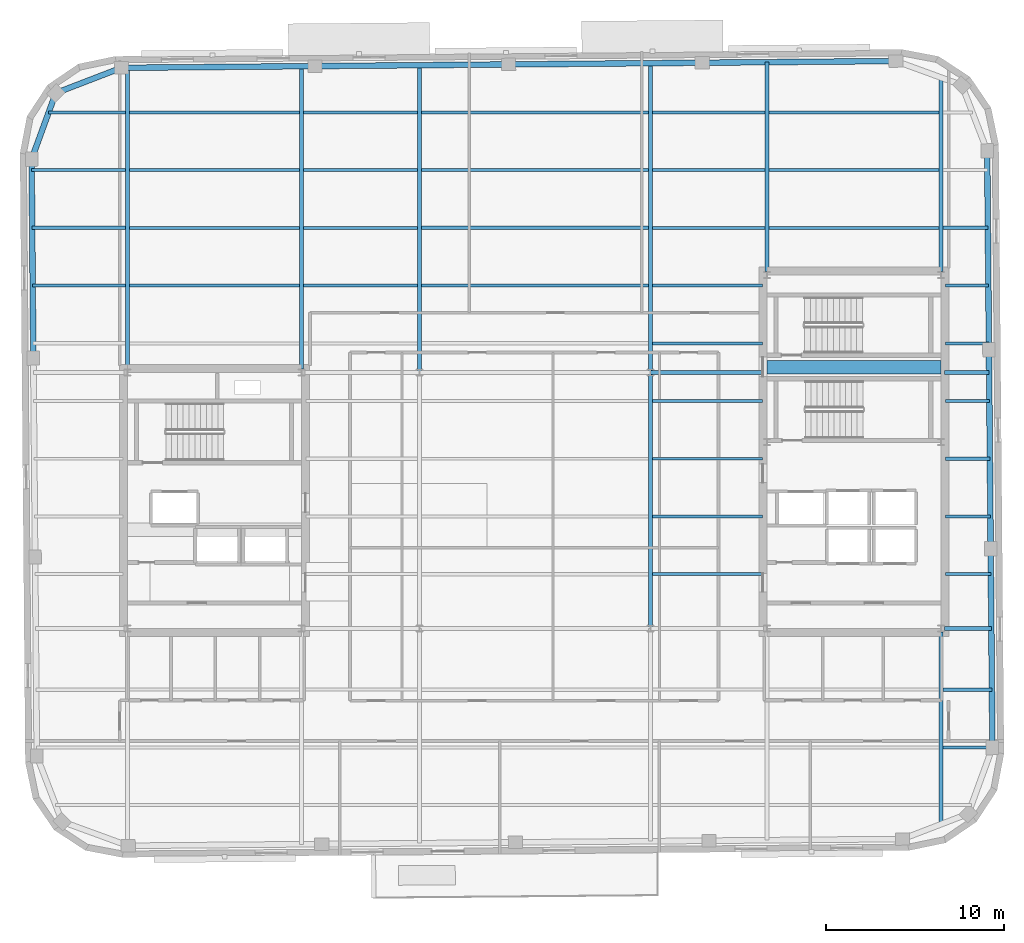
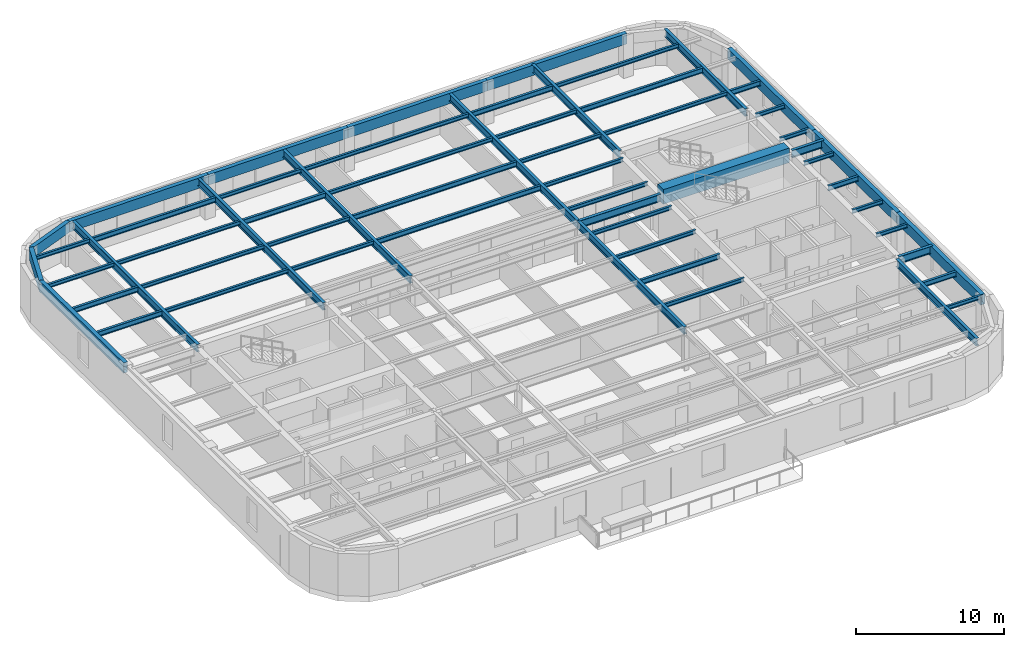
# One storey, part 5 of 14: 59 beams.
"""IFC4 building model written with IfcOpenShell, lengths in metres."""

from ifc_helpers import new_model, si_unit, direction, frame, origin, origin_2d, place, context, subcontext, project, spatial, rectangle, hollow_rectangle, i_section, extrude, material, material_profile, profile_set, type_object, element, save


model = new_model("IFC4")

# Units and contexts
model_context = context("Model", 3, precision=1e-05, world=origin(), true_north=direction((0.0, 1.0)))
body_context = subcontext(model_context, "Body", "Model", "MODEL_VIEW")
ifc_project = project(units=[si_unit("LENGTHUNIT", "METRE"), si_unit("AREAUNIT", "SQUARE_METRE"), si_unit("VOLUMEUNIT", "CUBIC_METRE"), si_unit("PLANEANGLEUNIT", "RADIAN"), si_unit("MASSUNIT", "GRAM", prefix="KILO")], contexts=[model_context])

# Site, building, storey
site_placement = place(None, origin())
site = spatial("IfcSite", under=ifc_project, at=site_placement, CompositionType="ELEMENT")
building_placement = place(site_placement, origin())
building = spatial("IfcBuilding", under=site, at=building_placement, Name="Kolvaren Arena Tower", CompositionType="ELEMENT")
storey_placement = place(building_placement, frame((0.0, 0.0, 274.89990234375)))
storey = spatial("IfcBuildingStorey", under=building, at=storey_placement, Name="L67", CompositionType="ELEMENT", Elevation=274.89990234375)

# Beams
ifc_material_1 = material(Name="Steel CSA G40.21 350W", Category="steel")
ifc_material_profile_1 = material_profile(ifc_material_1, i_section(OverallWidth=0.180908203125, OverallDepth=0.4169921875, WebThickness=0.010986328125, FlangeThickness=0.018310546875, FilletRadius=0.011962890625, at=origin_2d()), Name="W410x85")
ifc_profile_set_1 = profile_set([ifc_material_profile_1], Name="Steel CSA G40.21 350W")
beam_type_1 = type_object("IfcBeamType", Name="BEAM-F3", PredefinedType="BEAM", material=ifc_profile_set_1)
beam_1_placement = place(storey_placement, frame((60.464111328125, 16.0, 3.271484375), z_axis=(1.0, 0.0, 0.0), x_axis=(0.0, 1.0, 0.0)))
element("IfcBeam", 1, at=beam_1_placement, inside=storey, type_object=beam_type_1, Name="Composite Floor Beam (L67)", PredefinedType="BEAM", context=body_context, shape_type="SweptSolid", body=[
    extrude(i_section(OverallWidth=0.180908203125, OverallDepth=0.4169921875, WebThickness=0.010986328125, FlangeThickness=0.018310546875, FilletRadius=0.011962890625, at=origin_2d()), origin(), (0.0, 0.0, 1.0), 2.7529296875),
])
beam_2_placement = place(storey_placement, frame((44.114013671875, 25.75, 3.271484375), z_axis=(1.0, 0.0, 0.0), x_axis=(0.0, 1.0, 0.0)))
element("IfcBeam", 2, at=beam_2_placement, inside=storey, type_object=beam_type_1, Name="Composite Floor Beam (L67)", PredefinedType="BEAM", context=body_context, shape_type="SweptSolid", body=[
    extrude(i_section(OverallWidth=0.180908203125, OverallDepth=0.4169921875, WebThickness=0.010986328125, FlangeThickness=0.018310546875, FilletRadius=0.011962890625, at=origin_2d()), origin(), (0.0, 0.0, 1.0), 6.19091796875),
])
beam_3_placement = place(storey_placement, frame((60.594970703125, 29.0, 3.271484375), z_axis=(1.0, 0.0, 0.0), x_axis=(0.0, 1.0, 0.0)))
element("IfcBeam", 3, at=beam_3_placement, inside=storey, type_object=beam_type_1, Name="Composite Floor Beam (L67)", PredefinedType="BEAM", context=body_context, shape_type="SweptSolid", body=[
    extrude(i_section(OverallWidth=0.180908203125, OverallDepth=0.4169921875, WebThickness=0.010986328125, FlangeThickness=0.018310546875, FilletRadius=0.011962890625, at=origin_2d()), origin(), (0.0, 0.0, 1.0), 2.508544921875),
])
beam_4_placement = place(storey_placement, frame((9.216552734375, 38.75, 3.271484375), z_axis=(1.0, 0.0, 0.0), x_axis=(0.0, 1.0, 0.0)))
element("IfcBeam", 4, at=beam_4_placement, inside=storey, type_object=beam_type_1, Name="Composite Floor Beam (L67)", PredefinedType="BEAM", context=body_context, shape_type="SweptSolid", body=[
    extrude(i_section(OverallWidth=0.180908203125, OverallDepth=0.4169921875, WebThickness=0.010986328125, FlangeThickness=0.018310546875, FilletRadius=0.011962890625, at=origin_2d()), origin(), (0.0, 0.0, 1.0), 5.219482421875),
])
beam_5_placement = place(storey_placement, frame((31.114013671875, 38.75, 3.271484375), z_axis=(1.0, 0.0, 0.0), x_axis=(0.0, 1.0, 0.0)))
element("IfcBeam", 5, at=beam_5_placement, inside=storey, type_object=beam_type_1, Name="Composite Floor Beam (L67)", PredefinedType="BEAM", context=body_context, shape_type="SweptSolid", body=[
    extrude(i_section(OverallWidth=0.180908203125, OverallDepth=0.4169921875, WebThickness=0.010986328125, FlangeThickness=0.018310546875, FilletRadius=0.011962890625, at=origin_2d()), origin(), (0.0, 0.0, 1.0), 12.77197265625),
])
beam_6_placement = place(storey_placement, frame((9.18798828125, 42.0, 3.271484375), z_axis=(1.0, 0.0, 0.0), x_axis=(0.0, 1.0, 0.0)))
element("IfcBeam", 6, at=beam_6_placement, inside=storey, type_object=beam_type_1, Name="Composite Floor Beam (L67)", PredefinedType="BEAM", context=body_context, shape_type="SweptSolid", body=[
    extrude(i_section(OverallWidth=0.180908203125, OverallDepth=0.4169921875, WebThickness=0.010986328125, FlangeThickness=0.018310546875, FilletRadius=0.011962890625, at=origin_2d()), origin(), (0.0, 0.0, 1.0), 5.248046875),
])
beam_7_placement = place(storey_placement, frame((31.114013671875, 42.0, 3.271484375), z_axis=(1.0, 0.0, 0.0), x_axis=(0.0, 1.0, 0.0)))
element("IfcBeam", 7, at=beam_7_placement, inside=storey, type_object=beam_type_1, Name="Composite Floor Beam (L67)", PredefinedType="BEAM", context=body_context, shape_type="SweptSolid", body=[
    extrude(i_section(OverallWidth=0.180908203125, OverallDepth=0.4169921875, WebThickness=0.010986328125, FlangeThickness=0.018310546875, FilletRadius=0.011962890625, at=origin_2d()), origin(), (0.0, 0.0, 1.0), 12.77197265625),
])
beam_8_placement = place(storey_placement, frame((60.464111328125, 42.0, 3.271484375), z_axis=(1.0, 0.0, 0.0), x_axis=(0.0, 1.0, 0.0)))
element("IfcBeam", 8, at=beam_8_placement, inside=storey, type_object=beam_type_1, Name="Composite Floor Beam (L67)", PredefinedType="BEAM", context=body_context, shape_type="SweptSolid", body=[
    extrude(i_section(OverallWidth=0.180908203125, OverallDepth=0.4169921875, WebThickness=0.010986328125, FlangeThickness=0.018310546875, FilletRadius=0.011962890625, at=origin_2d()), origin(), (0.0, 0.0, 1.0), 2.526123046875),
])
beam_9_placement = place(storey_placement, frame((24.464111328125, 45.25, 3.271484375), z_axis=(1.0, 0.0, 0.0), x_axis=(0.0, 1.0, 0.0)))
element("IfcBeam", 9, at=beam_9_placement, inside=storey, type_object=beam_type_1, Name="Composite Floor Beam (L67)", PredefinedType="BEAM", context=body_context, shape_type="SweptSolid", body=[
    extrude(i_section(OverallWidth=0.180908203125, OverallDepth=0.4169921875, WebThickness=0.010986328125, FlangeThickness=0.018310546875, FilletRadius=0.011962890625, at=origin_2d()), origin(), (0.0, 0.0, 1.0), 6.421875),
])
for number, where, z_axis, x_axis, name in (
    (10, (50.6640625, 45.25, 3.271484375), (1.0, 0.0, 0.0), (0.0, 1.0, 0.0), "Composite Floor Beam (L67)"),
    (11, (14.6640625, 48.5, 3.271484375), (1.0, 0.0, 0.0), (0.0, 1.0, 0.0), "Composite Floor Beam (L67)"),
):
    element("IfcBeam", number, at=place(storey_placement, frame(where, z_axis=z_axis, x_axis=x_axis)), inside=storey, type_object=beam_type_1, Name=name, PredefinedType="BEAM", context=body_context, shape_type="SweptSolid", body=[
        extrude(i_section(OverallWidth=0.180908203125, OverallDepth=0.4169921875, WebThickness=0.010986328125, FlangeThickness=0.018310546875, FilletRadius=0.011962890625, at=origin_2d()), origin(), (0.0, 0.0, 1.0), 9.572021484375),
    ])
beam_10_placement = place(storey_placement, frame((44.114013671875, 48.5, 3.271484375), z_axis=(1.0, 0.0, 0.0), x_axis=(0.0, 1.0, 0.0)))
element("IfcBeam", 12, at=beam_10_placement, inside=storey, type_object=beam_type_1, Name="Composite Floor Beam (L67)", PredefinedType="BEAM", context=body_context, shape_type="SweptSolid", body=[
    extrude(i_section(OverallWidth=0.180908203125, OverallDepth=0.4169921875, WebThickness=0.010986328125, FlangeThickness=0.018310546875, FilletRadius=0.011962890625, at=origin_2d()), origin(), (0.0, 0.0, 1.0), 6.322021484375),
])
ifc_material_2 = material(Name="Concrete 60 MPa", Category="concrete")
ifc_material_profile_2 = material_profile(ifc_material_2, rectangle(XDim=0.75, YDim=1.199951171875, at=origin_2d()), Name="RC-750x1200")
ifc_profile_set_2 = profile_set([ifc_material_profile_2], Name="Concrete 60 MPa")
beam_type_2 = type_object("IfcBeamType", Name="CB-CORE-2", PredefinedType="BEAM", material=ifc_profile_set_2)
beam_11_placement = place(storey_placement, frame((50.550048828125, 34.14990234375, 3.150146484375), z_axis=(1.0, 0.0, 0.0), x_axis=(0.0, 1.0, 0.0)))
element("IfcBeam", 13, at=beam_11_placement, inside=storey, type_object=beam_type_2, Name="East Core Coupling Beam (L67)", PredefinedType="BEAM", context=body_context, shape_type="SweptSolid", body=[
    extrude(rectangle(XDim=0.75, YDim=1.199951171875, at=origin_2d()), origin(), (0.0, 0.0, 1.0), 9.800048828125),
])
ifc_material_profile_3 = material_profile(ifc_material_1, i_section(OverallWidth=0.22802734375, OverallDepth=0.615966796875, WebThickness=0.013916015625, FlangeThickness=0.02490234375, FilletRadius=0.014892578125, at=origin_2d()), Name="W610x174")
ifc_profile_set_3 = profile_set([ifc_material_profile_3], Name="Steel CSA G40.21 350W")
beam_type_3 = type_object("IfcBeamType", Name="GIRD-T3", PredefinedType="BEAM", material=ifc_profile_set_3)
beam_12_placement = place(storey_placement, frame((60.554931640625, 19.449951171875, 3.172119140625), z_axis=(1.0, 0.0, 0.0), x_axis=(0.0, 1.0, 0.0)))
element("IfcBeam", 14, at=beam_12_placement, inside=storey, type_object=beam_type_3, Name="Primary Floor Girder (L67)", PredefinedType="BEAM", context=body_context, shape_type="SweptSolid", body=[
    extrude(i_section(OverallWidth=0.22802734375, OverallDepth=0.615966796875, WebThickness=0.013916015625, FlangeThickness=0.02490234375, FilletRadius=0.014892578125, at=origin_2d()), origin(), (0.0, 0.0, 1.0), 2.632080078125),
])
beam_13_placement = place(storey_placement, frame((44.0, 33.85009765625, 3.172119140625), z_axis=(1.0, 0.0, 0.0), x_axis=(0.0, 1.0, 0.0)))
element("IfcBeam", 15, at=beam_13_placement, inside=storey, type_object=beam_type_3, Name="Primary Floor Girder (L67)", PredefinedType="BEAM", context=body_context, shape_type="SweptSolid", body=[
    extrude(i_section(OverallWidth=0.22802734375, OverallDepth=0.615966796875, WebThickness=0.013916015625, FlangeThickness=0.02490234375, FilletRadius=0.014892578125, at=origin_2d()), origin(), (0.0, 0.0, 1.0), 6.344970703125),
])
beam_14_placement = place(storey_placement, frame((60.554931640625, 33.85009765625, 3.172119140625), z_axis=(1.0, 0.0, 0.0), x_axis=(0.0, 1.0, 0.0)))
element("IfcBeam", 16, at=beam_14_placement, inside=storey, type_object=beam_type_3, Name="Primary Floor Girder (L67)", PredefinedType="BEAM", context=body_context, shape_type="SweptSolid", body=[
    extrude(i_section(OverallWidth=0.22802734375, OverallDepth=0.615966796875, WebThickness=0.013916015625, FlangeThickness=0.02490234375, FilletRadius=0.014892578125, at=origin_2d()), origin(), (0.0, 0.0, 1.0), 2.50634765625),
])
beam_15_placement = place(storey_placement, frame((14.550048828125, 34.054931640625, 3.172119140625), z_axis=(0.0, 1.0, 0.0), x_axis=(-1.0, 0.0, 0.0)))
element("IfcBeam", 17, at=beam_15_placement, inside=storey, type_object=beam_type_3, Name="Primary Floor Girder (L67)", PredefinedType="BEAM", context=body_context, shape_type="SweptSolid", body=[
    extrude(i_section(OverallWidth=0.22802734375, OverallDepth=0.615966796875, WebThickness=0.013916015625, FlangeThickness=0.02490234375, FilletRadius=0.014892578125, at=origin_2d()), origin(), (0.0, 0.0, 1.0), 16.95703125),
])
beam_16_placement = place(storey_placement, frame((24.35009765625, 34.054931640625, 3.172119140625), z_axis=(0.0, 1.0, 0.0), x_axis=(-1.0, 0.0, 0.0)))
element("IfcBeam", 18, at=beam_16_placement, inside=storey, type_object=beam_type_3, Name="Primary Floor Girder (L67)", PredefinedType="BEAM", context=body_context, shape_type="SweptSolid", body=[
    extrude(i_section(OverallWidth=0.22802734375, OverallDepth=0.615966796875, WebThickness=0.013916015625, FlangeThickness=0.02490234375, FilletRadius=0.014892578125, at=origin_2d()), origin(), (0.0, 0.0, 1.0), 17.04248046875),
])
beam_17_placement = place(storey_placement, frame((31.0, 33.85009765625, 3.172119140625), z_axis=(0.0, 1.0, 0.0), x_axis=(-1.0, 0.0, 0.0)))
element("IfcBeam", 19, at=beam_17_placement, inside=storey, type_object=beam_type_3, Name="Primary Floor Girder (L67)", PredefinedType="BEAM", context=body_context, shape_type="SweptSolid", body=[
    extrude(i_section(OverallWidth=0.22802734375, OverallDepth=0.615966796875, WebThickness=0.013916015625, FlangeThickness=0.02490234375, FilletRadius=0.014892578125, at=origin_2d()), origin(), (0.0, 0.0, 1.0), 17.305419921875),
])
beam_18_placement = place(storey_placement, frame((44.0, 19.449951171875, 3.172119140625), z_axis=(0.0, 1.0, 0.0), x_axis=(-1.0, 0.0, 0.0)))
element("IfcBeam", 20, at=beam_18_placement, inside=storey, type_object=beam_type_3, Name="Primary Floor Girder (L67)", PredefinedType="BEAM", context=body_context, shape_type="SweptSolid", body=[
    extrude(i_section(OverallWidth=0.22802734375, OverallDepth=0.615966796875, WebThickness=0.013916015625, FlangeThickness=0.02490234375, FilletRadius=0.014892578125, at=origin_2d()), origin(), (0.0, 0.0, 1.0), 14.400146484375),
])
beam_19_placement = place(storey_placement, frame((44.0, 33.85009765625, 3.172119140625), z_axis=(0.0, 1.0, 0.0), x_axis=(-1.0, 0.0, 0.0)))
element("IfcBeam", 21, at=beam_19_placement, inside=storey, type_object=beam_type_3, Name="Primary Floor Girder (L67)", PredefinedType="BEAM", context=body_context, shape_type="SweptSolid", body=[
    extrude(i_section(OverallWidth=0.22802734375, OverallDepth=0.615966796875, WebThickness=0.013916015625, FlangeThickness=0.02490234375, FilletRadius=0.014892578125, at=origin_2d()), origin(), (0.0, 0.0, 1.0), 17.418701171875),
])
beam_20_placement = place(storey_placement, frame((50.550048828125, 39.554931640625, 3.172119140625), z_axis=(0.0, 1.0, 0.0), x_axis=(-1.0, 0.0, 0.0)))
element("IfcBeam", 22, at=beam_20_placement, inside=storey, type_object=beam_type_3, Name="Primary Floor Girder (L67)", PredefinedType="BEAM", context=body_context, shape_type="SweptSolid", body=[
    extrude(i_section(OverallWidth=0.22802734375, OverallDepth=0.615966796875, WebThickness=0.013916015625, FlangeThickness=0.02490234375, FilletRadius=0.014892578125, at=origin_2d()), origin(), (0.0, 0.0, 1.0), 11.771240234375),
])
beam_21_placement = place(storey_placement, frame((60.35009765625, 8.4228515625, 3.172119140625), z_axis=(0.0, 1.0, 0.0), x_axis=(-1.0, 0.0, 0.0)))
element("IfcBeam", 23, at=beam_21_placement, inside=storey, type_object=beam_type_3, Name="Primary Floor Girder (L67)", PredefinedType="BEAM", context=body_context, shape_type="SweptSolid", body=[
    extrude(i_section(OverallWidth=0.22802734375, OverallDepth=0.615966796875, WebThickness=0.013916015625, FlangeThickness=0.02490234375, FilletRadius=0.014892578125, at=origin_2d()), origin(), (0.0, 0.0, 1.0), 10.822265625),
])
beam_22_placement = place(storey_placement, frame((60.35009765625, 39.554931640625, 3.172119140625), z_axis=(0.0, 1.0, 0.0), x_axis=(-1.0, 0.0, 0.0)))
element("IfcBeam", 24, at=beam_22_placement, inside=storey, type_object=beam_type_3, Name="Primary Floor Girder (L67)", PredefinedType="BEAM", context=body_context, shape_type="SweptSolid", body=[
    extrude(i_section(OverallWidth=0.22802734375, OverallDepth=0.615966796875, WebThickness=0.013916015625, FlangeThickness=0.02490234375, FilletRadius=0.014892578125, at=origin_2d()), origin(), (0.0, 0.0, 1.0), 10.90625),
])
ifc_material_profile_4 = material_profile(ifc_material_1, i_section(OverallWidth=0.1669921875, OverallDepth=0.31689453125, WebThickness=0.007568359375, FlangeThickness=0.01318359375, FilletRadius=0.010009765625, at=origin_2d()), Name="W310x52")
ifc_profile_set_4 = profile_set([ifc_material_profile_4], Name="Steel CSA G40.21 350W")
beam_type_4 = type_object("IfcBeamType", Name="JOIST-02", PredefinedType="JOIST", material=ifc_profile_set_4)
beam_23_placement = place(storey_placement, frame((60.464111328125, 12.75, 3.321533203125), z_axis=(1.0, 0.0, 0.0), x_axis=(0.0, 1.0, 0.0)))
element("IfcBeam", 25, at=beam_23_placement, inside=storey, type_object=beam_type_4, Name="Composite Floor Joist (L67)", PredefinedType="JOIST", context=body_context, shape_type="SweptSolid", body=[
    extrude(i_section(OverallWidth=0.1669921875, OverallDepth=0.31689453125, WebThickness=0.007568359375, FlangeThickness=0.01318359375, FilletRadius=0.010009765625, at=origin_2d()), origin(), (0.0, 0.0, 1.0), 2.781494140625),
])
beam_24_placement = place(storey_placement, frame((44.114013671875, 22.5, 3.321533203125), z_axis=(1.0, 0.0, 0.0), x_axis=(0.0, 1.0, 0.0)))
element("IfcBeam", 26, at=beam_24_placement, inside=storey, type_object=beam_type_4, Name="Composite Floor Joist (L67)", PredefinedType="JOIST", context=body_context, shape_type="SweptSolid", body=[
    extrude(i_section(OverallWidth=0.1669921875, OverallDepth=0.31689453125, WebThickness=0.007568359375, FlangeThickness=0.01318359375, FilletRadius=0.010009765625, at=origin_2d()), origin(), (0.0, 0.0, 1.0), 6.19091796875),
])
beam_25_placement = place(storey_placement, frame((60.594970703125, 22.5, 3.321533203125), z_axis=(1.0, 0.0, 0.0), x_axis=(0.0, 1.0, 0.0)))
element("IfcBeam", 27, at=beam_25_placement, inside=storey, type_object=beam_type_4, Name="Composite Floor Joist (L67)", PredefinedType="JOIST", context=body_context, shape_type="SweptSolid", body=[
    extrude(i_section(OverallWidth=0.1669921875, OverallDepth=0.31689453125, WebThickness=0.007568359375, FlangeThickness=0.01318359375, FilletRadius=0.010009765625, at=origin_2d()), origin(), (0.0, 0.0, 1.0), 2.5654296875),
])
beam_26_placement = place(storey_placement, frame((60.594970703125, 25.75, 3.321533203125), z_axis=(1.0, 0.0, 0.0), x_axis=(0.0, 1.0, 0.0)))
element("IfcBeam", 28, at=beam_26_placement, inside=storey, type_object=beam_type_4, Name="Composite Floor Joist (L67)", PredefinedType="JOIST", context=body_context, shape_type="SweptSolid", body=[
    extrude(i_section(OverallWidth=0.1669921875, OverallDepth=0.31689453125, WebThickness=0.007568359375, FlangeThickness=0.01318359375, FilletRadius=0.010009765625, at=origin_2d()), origin(), (0.0, 0.0, 1.0), 2.537109375),
])
for number, where, z_axis, x_axis, name in (
    (29, (44.114013671875, 29.0, 3.321533203125), (1.0, 0.0, 0.0), (0.0, 1.0, 0.0), "Composite Floor Joist (L67)"),
    (30, (44.114013671875, 32.25, 3.321533203125), (1.0, 0.0, 0.0), (0.0, 1.0, 0.0), "Composite Floor Joist (L67)"),
):
    element("IfcBeam", number, at=place(storey_placement, frame(where, z_axis=z_axis, x_axis=x_axis)), inside=storey, type_object=beam_type_4, Name=name, PredefinedType="JOIST", context=body_context, shape_type="SweptSolid", body=[
        extrude(i_section(OverallWidth=0.1669921875, OverallDepth=0.31689453125, WebThickness=0.007568359375, FlangeThickness=0.01318359375, FilletRadius=0.010009765625, at=origin_2d()), origin(), (0.0, 0.0, 1.0), 6.19091796875),
    ])
beam_27_placement = place(storey_placement, frame((60.594970703125, 32.25, 3.321533203125), z_axis=(1.0, 0.0, 0.0), x_axis=(0.0, 1.0, 0.0)))
element("IfcBeam", 31, at=beam_27_placement, inside=storey, type_object=beam_type_4, Name="Composite Floor Joist (L67)", PredefinedType="JOIST", context=body_context, shape_type="SweptSolid", body=[
    extrude(i_section(OverallWidth=0.1669921875, OverallDepth=0.31689453125, WebThickness=0.007568359375, FlangeThickness=0.01318359375, FilletRadius=0.010009765625, at=origin_2d()), origin(), (0.0, 0.0, 1.0), 2.480224609375),
])
beam_28_placement = place(storey_placement, frame((44.114013671875, 35.5, 3.321533203125), z_axis=(1.0, 0.0, 0.0), x_axis=(0.0, 1.0, 0.0)))
element("IfcBeam", 32, at=beam_28_placement, inside=storey, type_object=beam_type_4, Name="Composite Floor Joist (L67)", PredefinedType="JOIST", context=body_context, shape_type="SweptSolid", body=[
    extrude(i_section(OverallWidth=0.1669921875, OverallDepth=0.31689453125, WebThickness=0.007568359375, FlangeThickness=0.01318359375, FilletRadius=0.010009765625, at=origin_2d()), origin(), (0.0, 0.0, 1.0), 6.19091796875),
])
beam_29_placement = place(storey_placement, frame((60.594970703125, 35.5, 3.321533203125), z_axis=(1.0, 0.0, 0.0), x_axis=(0.0, 1.0, 0.0)))
element("IfcBeam", 33, at=beam_29_placement, inside=storey, type_object=beam_type_4, Name="Composite Floor Joist (L67)", PredefinedType="JOIST", context=body_context, shape_type="SweptSolid", body=[
    extrude(i_section(OverallWidth=0.1669921875, OverallDepth=0.31689453125, WebThickness=0.007568359375, FlangeThickness=0.01318359375, FilletRadius=0.010009765625, at=origin_2d()), origin(), (0.0, 0.0, 1.0), 2.451904296875),
])
beam_30_placement = place(storey_placement, frame((14.6640625, 38.75, 3.321533203125), z_axis=(1.0, 0.0, 0.0), x_axis=(0.0, 1.0, 0.0)))
element("IfcBeam", 34, at=beam_30_placement, inside=storey, type_object=beam_type_4, Name="Composite Floor Joist (L67)", PredefinedType="JOIST", context=body_context, shape_type="SweptSolid", body=[
    extrude(i_section(OverallWidth=0.1669921875, OverallDepth=0.31689453125, WebThickness=0.007568359375, FlangeThickness=0.01318359375, FilletRadius=0.010009765625, at=origin_2d()), origin(), (0.0, 0.0, 1.0), 9.572021484375),
])
beam_31_placement = place(storey_placement, frame((24.464111328125, 38.75, 3.321533203125), z_axis=(1.0, 0.0, 0.0), x_axis=(0.0, 1.0, 0.0)))
element("IfcBeam", 35, at=beam_31_placement, inside=storey, type_object=beam_type_4, Name="Composite Floor Joist (L67)", PredefinedType="JOIST", context=body_context, shape_type="SweptSolid", body=[
    extrude(i_section(OverallWidth=0.1669921875, OverallDepth=0.31689453125, WebThickness=0.007568359375, FlangeThickness=0.01318359375, FilletRadius=0.010009765625, at=origin_2d()), origin(), (0.0, 0.0, 1.0), 6.421875),
])
beam_32_placement = place(storey_placement, frame((44.114013671875, 38.75, 3.321533203125), z_axis=(1.0, 0.0, 0.0), x_axis=(0.0, 1.0, 0.0)))
element("IfcBeam", 36, at=beam_32_placement, inside=storey, type_object=beam_type_4, Name="Composite Floor Joist (L67)", PredefinedType="JOIST", context=body_context, shape_type="SweptSolid", body=[
    extrude(i_section(OverallWidth=0.1669921875, OverallDepth=0.31689453125, WebThickness=0.007568359375, FlangeThickness=0.01318359375, FilletRadius=0.010009765625, at=origin_2d()), origin(), (0.0, 0.0, 1.0), 6.19091796875),
])
beam_33_placement = place(storey_placement, frame((60.594970703125, 38.75, 3.321533203125), z_axis=(1.0, 0.0, 0.0), x_axis=(0.0, 1.0, 0.0)))
element("IfcBeam", 37, at=beam_33_placement, inside=storey, type_object=beam_type_4, Name="Composite Floor Joist (L67)", PredefinedType="JOIST", context=body_context, shape_type="SweptSolid", body=[
    extrude(i_section(OverallWidth=0.1669921875, OverallDepth=0.31689453125, WebThickness=0.007568359375, FlangeThickness=0.01318359375, FilletRadius=0.010009765625, at=origin_2d()), origin(), (0.0, 0.0, 1.0), 2.423583984375),
])
beam_34_placement = place(storey_placement, frame((14.6640625, 42.0, 3.321533203125), z_axis=(1.0, 0.0, 0.0), x_axis=(0.0, 1.0, 0.0)))
element("IfcBeam", 38, at=beam_34_placement, inside=storey, type_object=beam_type_4, Name="Composite Floor Joist (L67)", PredefinedType="JOIST", context=body_context, shape_type="SweptSolid", body=[
    extrude(i_section(OverallWidth=0.1669921875, OverallDepth=0.31689453125, WebThickness=0.007568359375, FlangeThickness=0.01318359375, FilletRadius=0.010009765625, at=origin_2d()), origin(), (0.0, 0.0, 1.0), 9.572021484375),
])
beam_35_placement = place(storey_placement, frame((24.464111328125, 42.0, 3.321533203125), z_axis=(1.0, 0.0, 0.0), x_axis=(0.0, 1.0, 0.0)))
element("IfcBeam", 39, at=beam_35_placement, inside=storey, type_object=beam_type_4, Name="Composite Floor Joist (L67)", PredefinedType="JOIST", context=body_context, shape_type="SweptSolid", body=[
    extrude(i_section(OverallWidth=0.1669921875, OverallDepth=0.31689453125, WebThickness=0.007568359375, FlangeThickness=0.01318359375, FilletRadius=0.010009765625, at=origin_2d()), origin(), (0.0, 0.0, 1.0), 6.421875),
])
beam_36_placement = place(storey_placement, frame((44.114013671875, 42.0, 3.321533203125), z_axis=(1.0, 0.0, 0.0), x_axis=(0.0, 1.0, 0.0)))
element("IfcBeam", 40, at=beam_36_placement, inside=storey, type_object=beam_type_4, Name="Composite Floor Joist (L67)", PredefinedType="JOIST", context=body_context, shape_type="SweptSolid", body=[
    extrude(i_section(OverallWidth=0.1669921875, OverallDepth=0.31689453125, WebThickness=0.007568359375, FlangeThickness=0.01318359375, FilletRadius=0.010009765625, at=origin_2d()), origin(), (0.0, 0.0, 1.0), 6.322021484375),
])
beam_37_placement = place(storey_placement, frame((50.6640625, 42.0, 3.321533203125), z_axis=(1.0, 0.0, 0.0), x_axis=(0.0, 1.0, 0.0)))
element("IfcBeam", 41, at=beam_37_placement, inside=storey, type_object=beam_type_4, Name="Composite Floor Joist (L67)", PredefinedType="JOIST", context=body_context, shape_type="SweptSolid", body=[
    extrude(i_section(OverallWidth=0.1669921875, OverallDepth=0.31689453125, WebThickness=0.007568359375, FlangeThickness=0.01318359375, FilletRadius=0.010009765625, at=origin_2d()), origin(), (0.0, 0.0, 1.0), 9.572021484375),
])
beam_38_placement = place(storey_placement, frame((9.159912109375, 45.25, 3.321533203125), z_axis=(1.0, 0.0, 0.0), x_axis=(0.0, 1.0, 0.0)))
element("IfcBeam", 42, at=beam_38_placement, inside=storey, type_object=beam_type_4, Name="Composite Floor Joist (L67)", PredefinedType="JOIST", context=body_context, shape_type="SweptSolid", body=[
    extrude(i_section(OverallWidth=0.1669921875, OverallDepth=0.31689453125, WebThickness=0.007568359375, FlangeThickness=0.01318359375, FilletRadius=0.010009765625, at=origin_2d()), origin(), (0.0, 0.0, 1.0), 5.276123046875),
])
beam_39_placement = place(storey_placement, frame((14.6640625, 45.25, 3.321533203125), z_axis=(1.0, 0.0, 0.0), x_axis=(0.0, 1.0, 0.0)))
element("IfcBeam", 43, at=beam_39_placement, inside=storey, type_object=beam_type_4, Name="Composite Floor Joist (L67)", PredefinedType="JOIST", context=body_context, shape_type="SweptSolid", body=[
    extrude(i_section(OverallWidth=0.1669921875, OverallDepth=0.31689453125, WebThickness=0.007568359375, FlangeThickness=0.01318359375, FilletRadius=0.010009765625, at=origin_2d()), origin(), (0.0, 0.0, 1.0), 9.572021484375),
])
beam_40_placement = place(storey_placement, frame((31.114013671875, 45.25, 3.321533203125), z_axis=(1.0, 0.0, 0.0), x_axis=(0.0, 1.0, 0.0)))
element("IfcBeam", 44, at=beam_40_placement, inside=storey, type_object=beam_type_4, Name="Composite Floor Joist (L67)", PredefinedType="JOIST", context=body_context, shape_type="SweptSolid", body=[
    extrude(i_section(OverallWidth=0.1669921875, OverallDepth=0.31689453125, WebThickness=0.007568359375, FlangeThickness=0.01318359375, FilletRadius=0.010009765625, at=origin_2d()), origin(), (0.0, 0.0, 1.0), 12.77197265625),
])
beam_41_placement = place(storey_placement, frame((44.114013671875, 45.25, 3.321533203125), z_axis=(1.0, 0.0, 0.0), x_axis=(0.0, 1.0, 0.0)))
element("IfcBeam", 45, at=beam_41_placement, inside=storey, type_object=beam_type_4, Name="Composite Floor Joist (L67)", PredefinedType="JOIST", context=body_context, shape_type="SweptSolid", body=[
    extrude(i_section(OverallWidth=0.1669921875, OverallDepth=0.31689453125, WebThickness=0.007568359375, FlangeThickness=0.01318359375, FilletRadius=0.010009765625, at=origin_2d()), origin(), (0.0, 0.0, 1.0), 6.322021484375),
])
beam_42_placement = place(storey_placement, frame((10.11669921875, 48.5, 3.321533203125), z_axis=(1.0, 0.0, 0.0), x_axis=(0.0, 1.0, 0.0)))
element("IfcBeam", 46, at=beam_42_placement, inside=storey, type_object=beam_type_4, Name="Composite Floor Joist (L67)", PredefinedType="JOIST", context=body_context, shape_type="SweptSolid", body=[
    extrude(i_section(OverallWidth=0.1669921875, OverallDepth=0.31689453125, WebThickness=0.007568359375, FlangeThickness=0.01318359375, FilletRadius=0.010009765625, at=origin_2d()), origin(), (0.0, 0.0, 1.0), 4.3193359375),
])
beam_43_placement = place(storey_placement, frame((24.464111328125, 48.5, 3.321533203125), z_axis=(1.0, 0.0, 0.0), x_axis=(0.0, 1.0, 0.0)))
element("IfcBeam", 47, at=beam_43_placement, inside=storey, type_object=beam_type_4, Name="Composite Floor Joist (L67)", PredefinedType="JOIST", context=body_context, shape_type="SweptSolid", body=[
    extrude(i_section(OverallWidth=0.1669921875, OverallDepth=0.31689453125, WebThickness=0.007568359375, FlangeThickness=0.01318359375, FilletRadius=0.010009765625, at=origin_2d()), origin(), (0.0, 0.0, 1.0), 6.421875),
])
beam_44_placement = place(storey_placement, frame((31.114013671875, 48.5, 3.321533203125), z_axis=(1.0, 0.0, 0.0), x_axis=(0.0, 1.0, 0.0)))
element("IfcBeam", 48, at=beam_44_placement, inside=storey, type_object=beam_type_4, Name="Composite Floor Joist (L67)", PredefinedType="JOIST", context=body_context, shape_type="SweptSolid", body=[
    extrude(i_section(OverallWidth=0.1669921875, OverallDepth=0.31689453125, WebThickness=0.007568359375, FlangeThickness=0.01318359375, FilletRadius=0.010009765625, at=origin_2d()), origin(), (0.0, 0.0, 1.0), 12.77197265625),
])
beam_45_placement = place(storey_placement, frame((50.6640625, 48.5, 3.321533203125), z_axis=(1.0, 0.0, 0.0), x_axis=(0.0, 1.0, 0.0)))
element("IfcBeam", 49, at=beam_45_placement, inside=storey, type_object=beam_type_4, Name="Composite Floor Joist (L67)", PredefinedType="JOIST", context=body_context, shape_type="SweptSolid", body=[
    extrude(i_section(OverallWidth=0.1669921875, OverallDepth=0.31689453125, WebThickness=0.007568359375, FlangeThickness=0.01318359375, FilletRadius=0.010009765625, at=origin_2d()), origin(), (0.0, 0.0, 1.0), 9.572021484375),
])
ifc_material_3 = material(Name="Steel CSA G40.21 350WT", Category="steel")
ifc_material_profile_5 = material_profile(ifc_material_3, hollow_rectangle(XDim=0.320068359375, YDim=0.860107421875, WallThickness=0.01806640625, at=origin_2d()), Name="HSS 860x320x18")
ifc_profile_set_5 = profile_set([ifc_material_profile_5], Name="Steel CSA G40.21 350WT")
beam_type_5 = type_object("IfcBeamType", Name="SPAND-02", PredefinedType="SPANDREL", material=ifc_profile_set_5)
beam_46_placement = place(storey_placement, frame((63.24560546875, 12.7353515625, 3.050048828125), z_axis=(-0.008741001013, 0.999961796721, 0.0), x_axis=(-0.999961796721, -0.008741001013, 0.0)))
element("IfcBeam", 50, at=beam_46_placement, inside=storey, type_object=beam_type_5, Name="Perimeter Spandrel Beam (L67)", PredefinedType="SPANDREL", context=body_context, shape_type="SweptSolid", body=[
    extrude(hollow_rectangle(XDim=0.320068359375, YDim=0.860107421875, WallThickness=0.01806640625, at=origin_2d()), origin(), (0.0, 0.0, 1.0), 11.2001953125),
])
for number, where, z_axis, x_axis, name in (
    (51, (63.147705078125, 23.93505859375, 3.050048828125), (-0.008719394723, 0.999961985355, 0.0), (-0.999961985355, -0.008719394723, 0.0), "Perimeter Spandrel Beam (L67)"),
    (52, (63.050048828125, 35.134521484375, 3.050048828125), (-0.008719394723, 0.999961985355, 0.0), (-0.999961985355, -0.008719394723, 0.0), "Perimeter Spandrel Beam (L67)"),
):
    element("IfcBeam", number, at=place(storey_placement, frame(where, z_axis=z_axis, x_axis=x_axis)), inside=storey, type_object=beam_type_5, Name=name, PredefinedType="SPANDREL", context=body_context, shape_type="SweptSolid", body=[
        extrude(hollow_rectangle(XDim=0.320068359375, YDim=0.860107421875, WallThickness=0.01806640625, at=origin_2d()), origin(), (0.0, 0.0, 1.0), 11.199951171875),
    ])
for number, where, z_axis, x_axis, name in (
    (53, (57.80810546875, 51.389404296875, 3.050048828125), (-0.999961846999, -0.008735247404, 0.0), (0.008735247404, -0.999961846999, 0.0), "Perimeter Spandrel Beam (L67)"),
    (54, (46.908447265625, 51.294189453125, 3.050048828125), (-0.999962042393, -0.008712851036, 0.0), (0.008712851036, -0.999962042393, 0.0), "Perimeter Spandrel Beam (L67)"),
):
    element("IfcBeam", number, at=place(storey_placement, frame(where, z_axis=z_axis, x_axis=x_axis)), inside=storey, type_object=beam_type_5, Name=name, PredefinedType="SPANDREL", context=body_context, shape_type="SweptSolid", body=[
        extrude(hollow_rectangle(XDim=0.320068359375, YDim=0.860107421875, WallThickness=0.01806640625, at=origin_2d()), origin(), (0.0, 0.0, 1.0), 10.900146484375),
    ])
beam_47_placement = place(storey_placement, frame((36.0087890625, 51.19921875, 3.050048828125), z_axis=(-0.999961845289, -0.008735443053, 0.0), x_axis=(0.008735443053, -0.999961845289, 0.0)))
element("IfcBeam", 55, at=beam_47_placement, inside=storey, type_object=beam_type_5, Name="Perimeter Spandrel Beam (L67)", PredefinedType="SPANDREL", context=body_context, shape_type="SweptSolid", body=[
    extrude(hollow_rectangle(XDim=0.320068359375, YDim=0.860107421875, WallThickness=0.01806640625, at=origin_2d()), origin(), (0.0, 0.0, 1.0), 10.89990234375),
])
beam_48_placement = place(storey_placement, frame((25.109375, 51.10400390625, 3.050048828125), z_axis=(-0.999961846999, -0.008735247404, 0.0), x_axis=(0.008735247404, -0.999961846999, 0.0)))
element("IfcBeam", 56, at=beam_48_placement, inside=storey, type_object=beam_type_5, Name="Perimeter Spandrel Beam (L67)", PredefinedType="SPANDREL", context=body_context, shape_type="SweptSolid", body=[
    extrude(hollow_rectangle(XDim=0.320068359375, YDim=0.860107421875, WallThickness=0.01806640625, at=origin_2d()), origin(), (0.0, 0.0, 1.0), 10.900146484375),
])
beam_49_placement = place(storey_placement, frame((14.209716796875, 51.0087890625, 3.050048828125), z_axis=(-0.933210515777, -0.359330117362, 0.0), x_axis=(0.359330117362, -0.933210515777, 0.0)))
element("IfcBeam", 57, at=beam_49_placement, inside=storey, type_object=beam_type_5, Name="Perimeter Spandrel Beam (L67)", PredefinedType="SPANDREL", context=body_context, shape_type="SweptSolid", body=[
    extrude(hollow_rectangle(XDim=0.320068359375, YDim=0.860107421875, WallThickness=0.01806640625, at=origin_2d()), origin(), (0.0, 0.0, 1.0), 3.961181640625),
])
beam_50_placement = place(storey_placement, frame((10.51318359375, 49.58544921875, 3.050048828125), z_axis=(-0.343039242335, -0.939321073019, 0.0), x_axis=(0.939321073019, -0.343039242335, 0.0)))
element("IfcBeam", 58, at=beam_50_placement, inside=storey, type_object=beam_type_5, Name="Perimeter Spandrel Beam (L67)", PredefinedType="SPANDREL", context=body_context, shape_type="SweptSolid", body=[
    extrude(hollow_rectangle(XDim=0.320068359375, YDim=0.860107421875, WallThickness=0.01806640625, at=origin_2d()), origin(), (0.0, 0.0, 1.0), 3.96142578125),
])
beam_51_placement = place(storey_placement, frame((9.154296875, 45.864501953125, 3.050048828125), z_axis=(0.008741191547, -0.999961795055, 0.0), x_axis=(0.999961795055, 0.008741191547, 0.0)))
element("IfcBeam", 59, at=beam_51_placement, inside=storey, type_object=beam_type_5, Name="Perimeter Spandrel Beam (L67)", PredefinedType="SPANDREL", context=body_context, shape_type="SweptSolid", body=[
    extrude(hollow_rectangle(XDim=0.320068359375, YDim=0.860107421875, WallThickness=0.01806640625, at=origin_2d()), origin(), (0.0, 0.0, 1.0), 11.199951171875),
])

save(model, "model.ifc")
